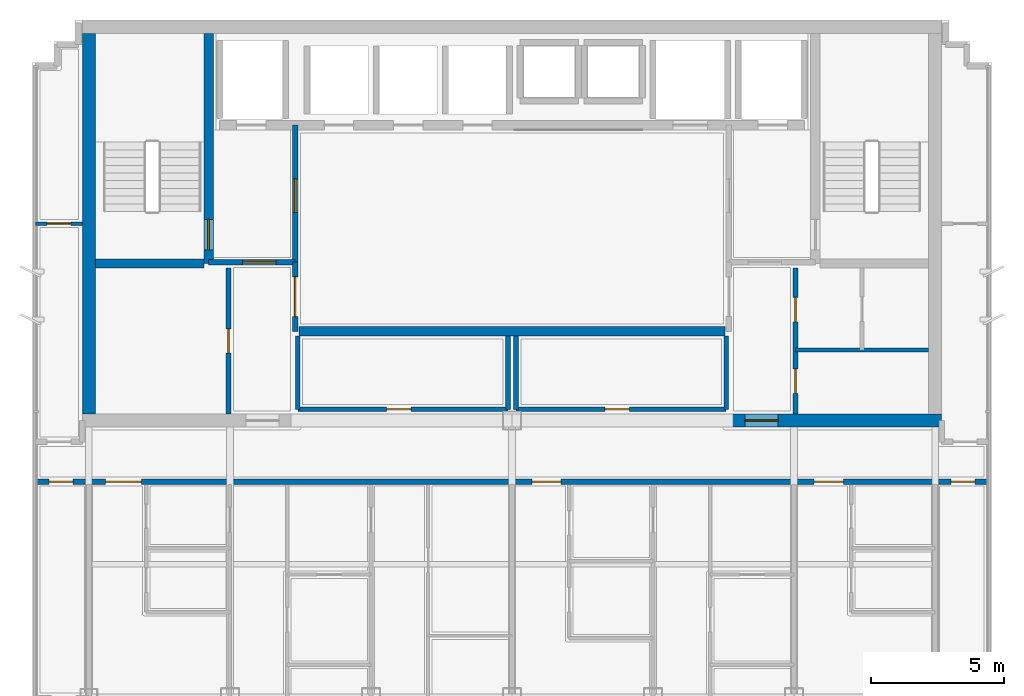
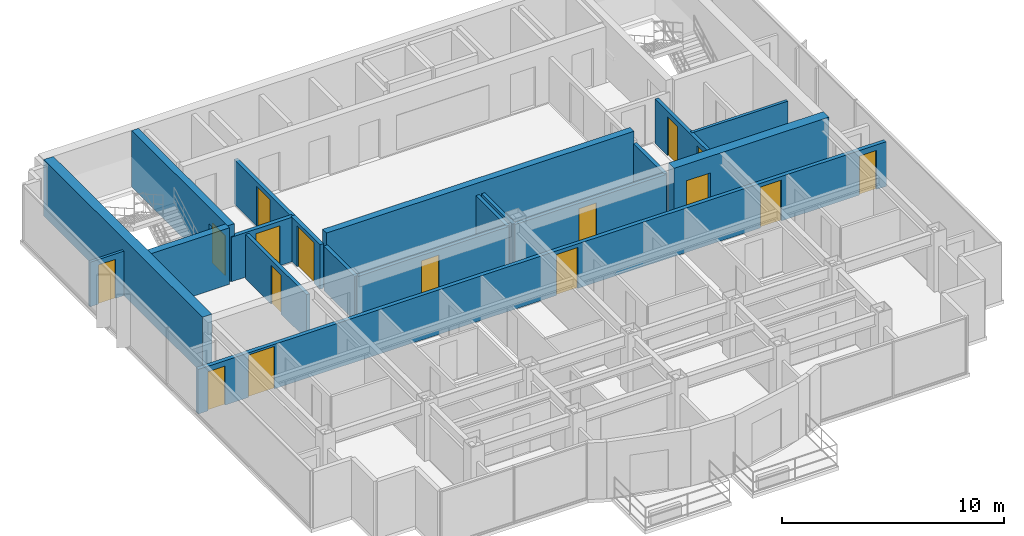
# One storey, part 7 of 11: 19 walls, 16 doors, 16 openings.
"""IFC4 building model written with IfcOpenShell, lengths in metres."""

from ifc_helpers import new_model, si_unit, direction, frame, frame_2d, origin, place, context, subcontext, project, spatial, rectangle, extrude, material, layer, layer_set, type_object, element, fill, save


model = new_model("IFC4")

# Units and contexts
model_context = context("Model", 3, precision=1e-05, world=origin(), true_north=direction((0.0, 1.0)))
body_context = subcontext(model_context, "Body", "Model", "MODEL_VIEW")
ifc_project = project(units=[si_unit("LENGTHUNIT", "METRE"), si_unit("AREAUNIT", "SQUARE_METRE"), si_unit("VOLUMEUNIT", "CUBIC_METRE"), si_unit("PLANEANGLEUNIT", "RADIAN"), si_unit("MASSUNIT", "GRAM", prefix="KILO")], contexts=[model_context])

# Site, building, storey
site_placement = place(None, origin())
site = spatial("IfcSite", under=ifc_project, at=site_placement, CompositionType="ELEMENT")
building_placement = place(site_placement, origin())
building = spatial("IfcBuilding", under=site, at=building_placement, Name="Qianlan Lanfeng Residences", CompositionType="ELEMENT")
storey_placement = place(building_placement, frame((0.0, 0.0, 256.10009765625)))
storey = spatial("IfcBuildingStorey", under=building, at=storey_placement, Name="L71", CompositionType="ELEMENT", Elevation=256.10009765625)

# Wall, opening, door
ifc_material_1 = material(Name="Concrete C49", Category="concrete")
ifc_layer_1 = layer(ifc_material_1, 0.35009765625)
ifc_layer_set_1 = layer_set([ifc_layer_1], Name="Concrete C49")
wall_type_1 = type_object("IfcWallType", Name="CW-RC-350", PredefinedType="SHEAR", material=ifc_layer_set_1)
wall_1_placement = place(storey_placement, frame((15.10009765625, 31.10009765625, 0.0), z_axis=(0.0, 0.0, 1.0), x_axis=(0.0, 1.0, 0.0)))
wall_1 = element("IfcWall", 1, at=wall_1_placement, inside=storey, type_object=wall_type_1, Name="L71 Core Shear Wall ST1E", PredefinedType="SHEAR", context=body_context, shape_type="SweptSolid", body=[
    extrude(rectangle(XDim=8.64990234375, YDim=0.35009765625, at=frame_2d((4.324951171875, 0.0))), origin(), (0.0, 0.0, 1.0), 3.10986328125),
])
opening_1_placement = place(wall_1_placement, frame((0.510009765625, 0.0, 0.0)))
opening_1 = element("IfcOpeningElement", 2, at=opening_1_placement, cuts=wall_1, Name="Opening L71-D07", PredefinedType="OPENING", context=body_context, shape_type="SweptSolid", body=[
    extrude(rectangle(XDim=1.14990234375, YDim=2.199951171875, at=frame_2d((0.574951171875, 1.10009765625))), frame((0.0, 0.18505859375, 0.0), z_axis=(0.0, -1.0, 0.0), x_axis=(1.0, 0.0, 0.0)), (0.0, 0.0, 1.0), 0.3701171875),
])
ifc_material_2 = material(Name="Painted Galvanised Steel Fire Door", Category="steel")
door_type_1 = type_object("IfcDoorType", Name="DT-ST1", OperationType="NOTDEFINED", PredefinedType="DOOR", material=ifc_material_2)
door_1_placement = place(opening_1_placement, frame((1.14990234375, 0.0, 0.0), z_axis=(0.0, 0.0, 1.0), x_axis=(-1.0, 0.0, 0.0)))
door_1 = element("IfcDoor", 3, at=door_1_placement, inside=storey, type_object=door_type_1, Name="L71 Exit Stair ST-1 Door L71-D07 (DT-ST1)", OperationType="SINGLE_SWING_RIGHT", OverallHeight=2.199951171875, OverallWidth=1.14990234375, PredefinedType="DOOR", context=body_context, shape_type="SweptSolid", body=[
    extrude(rectangle(XDim=1.14990234375, YDim=2.199951171875, at=frame_2d((0.574951171875, 1.10009765625))), frame((0.0, 0.02490234375, 0.0), z_axis=(0.0, -1.0, 0.0), x_axis=(1.0, 0.0, 0.0)), (0.0, 0.0, 1.0), 0.050048828125),
])
fill(opening_1, door_1)

# Walls
wall_2_placement = place(storey_placement, frame((10.85009765625, 31.10009765625, 0.0), z_axis=(0.0, 0.0, 1.0), x_axis=(1.0, 0.0, 0.0)))
element("IfcWall", 4, at=wall_2_placement, inside=storey, type_object=wall_type_1, Name="L71 Core Shear Wall ST1S", PredefinedType="SHEAR", context=body_context, shape_type="SweptSolid", body=[
    extrude(rectangle(XDim=4.074951171875, YDim=0.35009765625, at=frame_2d((2.03759765625, 0.0))), origin(), (0.0, 0.0, 1.0), 3.10986328125),
])
wall_3_placement = place(storey_placement, frame((18.5, 28.550048828125, 0.0), z_axis=(0.0, 0.0, 1.0), x_axis=(1.0, 0.0, 0.0)))
element("IfcWall", 5, at=wall_3_placement, inside=storey, type_object=wall_type_1, Name="L71 Core Shear Wall LBS", PredefinedType="SHEAR", context=body_context, shape_type="SweptSolid", body=[
    extrude(rectangle(XDim=16.0, YDim=0.35009765625, at=frame_2d((8.0, 0.0))), origin(), (0.0, 0.0, 1.0), 3.10986328125),
])
ifc_material_3 = material(Name="Concrete C70", Category="concrete")
ifc_layer_2 = layer(ifc_material_3, 0.5)
ifc_layer_set_2 = layer_set([ifc_layer_2], Name="Concrete C70")
wall_type_2 = type_object("IfcWallType", Name="CW-RC-500", PredefinedType="SHEAR", material=ifc_layer_set_2)
wall_4_placement = place(storey_placement, frame((10.60009765625, 25.449951171875, 0.0), z_axis=(0.0, 0.0, 1.0), x_axis=(0.0, 1.0, 0.0)))
element("IfcWall", 6, at=wall_4_placement, inside=storey, type_object=wall_type_2, Name="L71 Core Shear Wall W", PredefinedType="SHEAR", context=body_context, shape_type="SweptSolid", body=[
    extrude(rectangle(XDim=14.300048828125, YDim=0.5, at=frame_2d((7.14990234375, 0.0))), origin(), (0.0, 0.0, 1.0), 3.10986328125),
])

# Wall, opening, door
wall_5_placement = place(storey_placement, frame((34.60009765625, 25.199951171875, 0.0), z_axis=(0.0, 0.0, 1.0), x_axis=(1.0, 0.0, 0.0)))
wall_5 = element("IfcWall", 7, at=wall_5_placement, inside=storey, type_object=wall_type_2, Name="L71 Core Shear Wall SE", PredefinedType="SHEAR", context=body_context, shape_type="SweptSolid", body=[
    extrude(rectangle(XDim=8.0498046875, YDim=0.5, at=frame_2d((4.02490234375, 0.0))), origin(), (0.0, 0.0, 1.0), 3.10986328125),
])
opening_2_placement = place(wall_5_placement, frame((0.64990234375, 0.0, 0.0)))
opening_2 = element("IfcOpeningElement", 8, at=opening_2_placement, cuts=wall_5, Name="Opening L71-D02", PredefinedType="OPENING", context=body_context, shape_type="SweptSolid", body=[
    extrude(rectangle(XDim=1.25, YDim=2.199951171875, at=frame_2d((0.625, 1.10009765625))), frame((0.0, 0.260009765625, 0.0), z_axis=(0.0, -1.0, 0.0), x_axis=(1.0, 0.0, 0.0)), (0.0, 0.0, 1.0), 0.52001953125),
])
door_type_2 = type_object("IfcDoorType", Name="DT-FFL", OperationType="NOTDEFINED", PredefinedType="DOOR", material=ifc_material_2)
door_2_placement = place(opening_2_placement, frame((1.25, 0.0, 0.0), z_axis=(0.0, 0.0, 1.0), x_axis=(-1.0, 0.0, 0.0)))
door_2 = element("IfcDoor", 9, at=door_2_placement, inside=storey, type_object=door_type_2, Name="L71 East Core Lobby Smoke Door L71-D02 (DT-FFL)", OperationType="SINGLE_SWING_LEFT", OverallHeight=2.199951171875, OverallWidth=1.25, PredefinedType="DOOR", context=body_context, shape_type="SweptSolid", body=[
    extrude(rectangle(XDim=1.25, YDim=2.199951171875, at=frame_2d((0.625, 1.10009765625))), frame((0.0, 0.02490234375, 0.0), z_axis=(0.0, -1.0, 0.0), x_axis=(1.0, 0.0, 0.0)), (0.0, 0.0, 1.0), 0.050048828125),
])
fill(opening_2, door_2)

ifc_material_4 = material(Name="Moisture-Resistant Gypsum Partition 135 mm")
ifc_layer_3 = layer(ifc_material_4, 0.135009765625)
ifc_layer_set_3 = layer_set([ifc_layer_3], Name="Moisture-Resistant Gypsum Partition 135 mm")
wall_type_3 = type_object("IfcWallType", Name="PW-135", PredefinedType="PARTITIONING", material=ifc_layer_set_3)
wall_6_placement = place(storey_placement, frame((8.60009765625, 32.60009765625, 0.0), z_axis=(0.0, 0.0, 1.0), x_axis=(1.0, 0.0, 0.0)))
wall_6 = element("IfcWall", 10, at=wall_6_placement, inside=storey, type_object=wall_type_3, Name="L71 WW North Wing Wall", PredefinedType="PARTITIONING", context=body_context, shape_type="SweptSolid", body=[
    extrude(rectangle(XDim=1.75, YDim=0.135009765625, at=frame_2d((0.875, 0.0))), origin(), (0.0, 0.0, 1.0), 2.449951171875),
])
opening_3_placement = place(wall_6_placement, frame((0.425048828125, 0.0, 0.0)))
opening_3 = element("IfcOpeningElement", 11, at=opening_3_placement, cuts=wall_6, Name="Opening L71-D44", PredefinedType="OPENING", context=body_context, shape_type="SweptSolid", body=[
    extrude(rectangle(XDim=0.89990234375, YDim=2.14990234375, at=frame_2d((0.449951171875, 1.074951171875))), frame((0.0, 0.07763671875, 0.0), z_axis=(0.0, -1.0, 0.0), x_axis=(1.0, 0.0, 0.0)), (0.0, 0.0, 1.0), 0.155029296875),
])
ifc_material_5 = material(Name="Moisture-Resistant Timber Leaf", Category="wood")
door_type_3 = type_object("IfcDoorType", Name="DT-WC", OperationType="NOTDEFINED", PredefinedType="DOOR", material=ifc_material_5)
door_3_placement = place(opening_3_placement, origin())
door_3 = element("IfcDoor", 12, at=door_3_placement, inside=storey, type_object=door_type_3, Name="L71 WW Inner Salon Door L71-D44 (DT-WC)", OperationType="SINGLE_SWING_LEFT", OverallHeight=2.14990234375, OverallWidth=0.89990234375, PredefinedType="DOOR", context=body_context, shape_type="SweptSolid", body=[
    extrude(rectangle(XDim=0.89990234375, YDim=2.14990234375, at=frame_2d((0.449951171875, 1.074951171875))), frame((0.0, 0.02490234375, 0.0), z_axis=(0.0, -1.0, 0.0), x_axis=(1.0, 0.0, 0.0)), (0.0, 0.0, 1.0), 0.050048828125),
])
fill(opening_3, door_3)

# Wall
ifc_material_6 = material(Name="Acoustic Drywall Partition 150 mm")
ifc_layer_4 = layer(ifc_material_6, 0.14990234375)
ifc_layer_set_4 = layer_set([ifc_layer_4], Name="Acoustic Drywall Partition 150 mm")
wall_type_4 = type_object("IfcWallType", Name="PW-150", PredefinedType="PARTITIONING", material=ifc_layer_set_4)
wall_7_placement = place(storey_placement, frame((37.14990234375, 27.85009765625, 0.0), z_axis=(0.0, 0.0, 1.0), x_axis=(1.0, 0.0, 0.0)))
element("IfcWall", 13, at=wall_7_placement, inside=storey, type_object=wall_type_4, Name="L71 Core East H Split", PredefinedType="PARTITIONING", context=body_context, shape_type="SweptSolid", body=[
    extrude(rectangle(XDim=5.0, YDim=0.14990234375, at=frame_2d((2.5, 0.0))), origin(), (0.0, 0.0, 1.0), 2.449951171875),
])

# Wall, opening, door
ifc_material_7 = material(Name="Double-Layer Acoustic Gypsum Stud Wall 180 mm")
ifc_layer_5 = layer(ifc_material_7, 0.179931640625)
ifc_layer_set_5 = layer_set([ifc_layer_5], Name="Double-Layer Acoustic Gypsum Stud Wall 180 mm")
wall_type_5 = type_object("IfcWallType", Name="PW-180", PredefinedType="PARTITIONING", material=ifc_layer_set_5)
wall_8_placement = place(storey_placement, frame((15.85009765625, 25.449951171875, 0.0), z_axis=(0.0, 0.0, 1.0), x_axis=(0.0, 1.0, 0.0)))
wall_8 = element("IfcWall", 14, at=wall_8_placement, inside=storey, type_object=wall_type_5, Name="L71 Core West Service Room Wall", PredefinedType="PARTITIONING", context=body_context, shape_type="SweptSolid", body=[
    extrude(rectangle(XDim=5.47509765625, YDim=0.179931640625, at=frame_2d((2.737548828125, 0.0))), origin(), (0.0, 0.0, 1.0), 2.449951171875),
])
opening_4_placement = place(wall_8_placement, frame((2.277099609375, 0.0, 0.0)))
opening_4 = element("IfcOpeningElement", 15, at=opening_4_placement, cuts=wall_8, Name="Opening L71-D09", PredefinedType="OPENING", context=body_context, shape_type="SweptSolid", body=[
    extrude(rectangle(XDim=0.919921875, YDim=2.14990234375, at=frame_2d((0.4599609375, 1.074951171875))), frame((0.0, 0.10009765625, 0.0), z_axis=(0.0, -1.0, 0.0), x_axis=(1.0, 0.0, 0.0)), (0.0, 0.0, 1.0), 0.199951171875),
])
ifc_material_8 = material(Name="Glazed Timber Kitchen/Study Door", Category="wood")
door_type_4 = type_object("IfcDoorType", Name="DT-INT", OperationType="NOTDEFINED", PredefinedType="DOOR", material=ifc_material_8)
door_4_placement = place(opening_4_placement, origin())
door_4 = element("IfcDoor", 16, at=door_4_placement, inside=storey, type_object=door_type_4, Name="L71 Storage Room Door L71-D09 (DT-INT)", OperationType="SINGLE_SWING_LEFT", OverallHeight=2.14990234375, OverallWidth=0.919921875, PredefinedType="DOOR", context=body_context, shape_type="SweptSolid", body=[
    extrude(rectangle(XDim=0.919921875, YDim=2.14990234375, at=frame_2d((0.4599609375, 1.074951171875))), frame((0.0, 0.02490234375, 0.0), z_axis=(0.0, -1.0, 0.0), x_axis=(1.0, 0.0, 0.0)), (0.0, 0.0, 1.0), 0.050048828125),
])
fill(opening_4, door_4)

# Wall, openings, doors
wall_9_placement = place(storey_placement, frame((37.14990234375, 25.449951171875, 0.0), z_axis=(0.0, 0.0, 1.0), x_axis=(0.0, 1.0, 0.0)))
wall_9 = element("IfcWall", 17, at=wall_9_placement, inside=storey, type_object=wall_type_5, Name="L71 Core East Service Room Wall", PredefinedType="PARTITIONING", context=body_context, shape_type="SweptSolid", body=[
    extrude(rectangle(XDim=5.47509765625, YDim=0.179931640625, at=frame_2d((2.737548828125, 0.0))), origin(), (0.0, 0.0, 1.0), 2.449951171875),
])
opening_5_placement = place(wall_9_placement, frame((0.764892578125, 0.0, 0.0)))
opening_5 = element("IfcOpeningElement", 18, at=opening_5_placement, cuts=wall_9, Name="Opening L71-D10", PredefinedType="OPENING", context=body_context, shape_type="SweptSolid", body=[
    extrude(rectangle(XDim=0.919921875, YDim=2.14990234375, at=frame_2d((0.4599609375, 1.074951171875))), frame((0.0, 0.10009765625, 0.0), z_axis=(0.0, -1.0, 0.0), x_axis=(1.0, 0.0, 0.0)), (0.0, 0.0, 1.0), 0.199951171875),
])
opening_6_placement = place(wall_9_placement, frame((3.451904296875, 0.0, 0.0)))
opening_6 = element("IfcOpeningElement", 19, at=opening_6_placement, cuts=wall_9, Name="Opening L71-D11", PredefinedType="OPENING", context=body_context, shape_type="SweptSolid", body=[
    extrude(rectangle(XDim=0.919921875, YDim=2.14990234375, at=frame_2d((0.4599609375, 1.074951171875))), frame((0.0, 0.10009765625, 0.0), z_axis=(0.0, -1.0, 0.0), x_axis=(1.0, 0.0, 0.0)), (0.0, 0.0, 1.0), 0.199951171875),
])
door_5_placement = place(opening_5_placement, origin())
door_5 = element("IfcDoor", 20, at=door_5_placement, inside=storey, type_object=door_type_4, Name="L71 Refuse Room Door L71-D10 (DT-INT)", OperationType="SINGLE_SWING_LEFT", OverallHeight=2.14990234375, OverallWidth=0.919921875, PredefinedType="DOOR", context=body_context, shape_type="SweptSolid", body=[
    extrude(rectangle(XDim=0.919921875, YDim=2.14990234375, at=frame_2d((0.4599609375, 1.074951171875))), frame((0.0, 0.02490234375, 0.0), z_axis=(0.0, -1.0, 0.0), x_axis=(1.0, 0.0, 0.0)), (0.0, 0.0, 1.0), 0.050048828125),
])
fill(opening_5, door_5)
door_6_placement = place(opening_6_placement, origin())
door_6 = element("IfcDoor", 21, at=door_6_placement, inside=storey, type_object=door_type_4, Name="L71 Janitor Outer Door L71-D11 (DT-INT)", OperationType="SINGLE_SWING_LEFT", OverallHeight=2.14990234375, OverallWidth=0.919921875, PredefinedType="DOOR", context=body_context, shape_type="SweptSolid", body=[
    extrude(rectangle(XDim=0.919921875, YDim=2.14990234375, at=frame_2d((0.4599609375, 1.074951171875))), frame((0.0, 0.02490234375, 0.0), z_axis=(0.0, -1.0, 0.0), x_axis=(1.0, 0.0, 0.0)), (0.0, 0.0, 1.0), 0.050048828125),
])
fill(opening_6, door_6)

# Walls
for number, where, z_axis, x_axis, name in (
    (22, (18.449951171875, 25.6201171875, 0.0), (0.0, 0.0, 1.0), (0.0, 1.0, 0.0), "L71 Reclaimed Low-Bank Room West Wall"),
    (23, (26.35009765625, 25.6201171875, 0.0), (0.0, 0.0, 1.0), (0.0, 1.0, 0.0), "L71 Reclaimed Low-Bank Room East Wall"),
):
    element("IfcWall", number, at=place(storey_placement, frame(where, z_axis=z_axis, x_axis=x_axis)), inside=storey, type_object=wall_type_5, Name=name, PredefinedType="PARTITIONING", context=body_context, shape_type="SweptSolid", body=[
        extrude(rectangle(XDim=2.7548828125, YDim=0.179931640625, at=frame_2d((1.37744140625, 0.0))), origin(), (0.0, 0.0, 1.0), 2.449951171875),
    ])

# Wall, opening, door
wall_10_placement = place(storey_placement, frame((18.449951171875, 25.6201171875, 0.0), z_axis=(0.0, 0.0, 1.0), x_axis=(1.0, 0.0, 0.0)))
wall_10 = element("IfcWall", 24, at=wall_10_placement, inside=storey, type_object=wall_type_5, Name="L71 Reclaimed Low-Bank Room South Wall", PredefinedType="PARTITIONING", context=body_context, shape_type="SweptSolid", body=[
    extrude(rectangle(XDim=7.900146484375, YDim=0.179931640625, at=frame_2d((3.9501953125, 0.0))), origin(), (0.0, 0.0, 1.0), 2.449951171875),
])
opening_7_placement = place(wall_10_placement, frame((3.340087890625, 0.0, 0.0)))
opening_7 = element("IfcOpeningElement", 25, at=opening_7_placement, cuts=wall_10, Name="Opening L71-D15", PredefinedType="OPENING", context=body_context, shape_type="SweptSolid", body=[
    extrude(rectangle(XDim=0.919921875, YDim=2.14990234375, at=frame_2d((0.4599609375, 1.074951171875))), frame((0.0, 0.10009765625, 0.0), z_axis=(0.0, -1.0, 0.0), x_axis=(1.0, 0.0, 0.0)), (0.0, 0.0, 1.0), 0.199951171875),
])
door_7_placement = place(opening_7_placement, origin())
door_7 = element("IfcDoor", 26, at=door_7_placement, inside=storey, type_object=door_type_4, Name="L71 Reclaimed Core Salon Door L71-D15 (DT-INT)", OperationType="SINGLE_SWING_LEFT", OverallHeight=2.14990234375, OverallWidth=0.919921875, PredefinedType="DOOR", context=body_context, shape_type="SweptSolid", body=[
    extrude(rectangle(XDim=0.919921875, YDim=2.14990234375, at=frame_2d((0.4599609375, 1.074951171875))), frame((0.0, 0.02490234375, 0.0), z_axis=(0.0, -1.0, 0.0), x_axis=(1.0, 0.0, 0.0)), (0.0, 0.0, 1.0), 0.050048828125),
])
fill(opening_7, door_7)

# Walls
for number, where, z_axis, x_axis, name in (
    (27, (26.64990234375, 25.6201171875, 0.0), (0.0, 0.0, 1.0), (0.0, 1.0, 0.0), "L71 Reclaimed Mid-Bank Room West Wall"),
    (28, (34.550048828125, 25.6201171875, 0.0), (0.0, 0.0, 1.0), (0.0, 1.0, 0.0), "L71 Reclaimed Mid-Bank Room East Wall"),
):
    element("IfcWall", number, at=place(storey_placement, frame(where, z_axis=z_axis, x_axis=x_axis)), inside=storey, type_object=wall_type_5, Name=name, PredefinedType="PARTITIONING", context=body_context, shape_type="SweptSolid", body=[
        extrude(rectangle(XDim=2.7548828125, YDim=0.179931640625, at=frame_2d((1.37744140625, 0.0))), origin(), (0.0, 0.0, 1.0), 2.449951171875),
    ])

# Wall, opening, door
wall_11_placement = place(storey_placement, frame((26.64990234375, 25.6201171875, 0.0), z_axis=(0.0, 0.0, 1.0), x_axis=(1.0, 0.0, 0.0)))
wall_11 = element("IfcWall", 29, at=wall_11_placement, inside=storey, type_object=wall_type_5, Name="L71 Reclaimed Mid-Bank Room South Wall", PredefinedType="PARTITIONING", context=body_context, shape_type="SweptSolid", body=[
    extrude(rectangle(XDim=7.900146484375, YDim=0.179931640625, at=frame_2d((3.9501953125, 0.0))), origin(), (0.0, 0.0, 1.0), 2.449951171875),
])
opening_8_placement = place(wall_11_placement, frame((3.340087890625, 0.0, 0.0)))
opening_8 = element("IfcOpeningElement", 30, at=opening_8_placement, cuts=wall_11, Name="Opening L71-D16", PredefinedType="OPENING", context=body_context, shape_type="SweptSolid", body=[
    extrude(rectangle(XDim=0.919921875, YDim=2.14990234375, at=frame_2d((0.4599609375, 1.074951171875))), frame((0.0, 0.10009765625, 0.0), z_axis=(0.0, -1.0, 0.0), x_axis=(1.0, 0.0, 0.0)), (0.0, 0.0, 1.0), 0.199951171875),
])
door_8_placement = place(opening_8_placement, origin())
door_8 = element("IfcDoor", 31, at=door_8_placement, inside=storey, type_object=door_type_4, Name="L71 Reclaimed Mid-Bank Salon Door L71-D16 (DT-INT)", OperationType="SINGLE_SWING_RIGHT", OverallHeight=2.14990234375, OverallWidth=0.919921875, PredefinedType="DOOR", context=body_context, shape_type="SweptSolid", body=[
    extrude(rectangle(XDim=0.919921875, YDim=2.14990234375, at=frame_2d((0.4599609375, 1.074951171875))), frame((0.0, 0.02490234375, 0.0), z_axis=(0.0, -1.0, 0.0), x_axis=(1.0, 0.0, 0.0)), (0.0, 0.0, 1.0), 0.050048828125),
])
fill(opening_8, door_8)

ifc_material_9 = material(Name="Autoclaved Aerated Concrete Blockwork 200 mm", Category="masonry")
ifc_layer_6 = layer(ifc_material_9, 0.199951171875)
ifc_layer_set_6 = layer_set([ifc_layer_6], Name="Autoclaved Aerated Concrete Blockwork 200 mm")
wall_type_6 = type_object("IfcWallType", Name="PW-200", PredefinedType="PARTITIONING", material=ifc_layer_set_6)
wall_12_placement = place(storey_placement, frame((15.10009765625, 31.14990234375, 0.0), z_axis=(0.0, 0.0, 1.0), x_axis=(1.0, 0.0, 0.0)))
wall_12 = element("IfcWall", 32, at=wall_12_placement, inside=storey, type_object=wall_type_6, Name="L71 Firefighting Lobby 1 South Wall", PredefinedType="PARTITIONING", context=body_context, shape_type="SweptSolid", body=[
    extrude(rectangle(XDim=3.25, YDim=0.199951171875, at=frame_2d((1.625, 0.0))), origin(), (0.0, 0.0, 1.0), 2.449951171875),
])
opening_9_placement = place(wall_12_placement, frame((1.27490234375, 0.0, 0.0)))
opening_9 = element("IfcOpeningElement", 33, at=opening_9_placement, cuts=wall_12, Name="Opening L71-D03", PredefinedType="OPENING", context=body_context, shape_type="SweptSolid", body=[
    extrude(rectangle(XDim=1.25, YDim=2.199951171875, at=frame_2d((0.625, 1.10009765625))), frame((0.0, 0.10986328125, 0.0), z_axis=(0.0, -1.0, 0.0), x_axis=(1.0, 0.0, 0.0)), (0.0, 0.0, 1.0), 0.219970703125),
])
door_9_placement = place(opening_9_placement, origin())
door_9 = element("IfcDoor", 34, at=door_9_placement, inside=storey, type_object=door_type_2, Name="L71 Firefighting Lobby 1 Entry Door L71-D03 (DT-FFL)", OperationType="SINGLE_SWING_LEFT", OverallHeight=2.199951171875, OverallWidth=1.25, PredefinedType="DOOR", context=body_context, shape_type="SweptSolid", body=[
    extrude(rectangle(XDim=1.25, YDim=2.199951171875, at=frame_2d((0.625, 1.10009765625))), frame((0.0, 0.02490234375, 0.0), z_axis=(0.0, -1.0, 0.0), x_axis=(1.0, 0.0, 0.0)), (0.0, 0.0, 1.0), 0.050048828125),
])
fill(opening_9, door_9)

wall_13_placement = place(storey_placement, frame((18.35009765625, 31.14990234375, 0.0), z_axis=(0.0, 0.0, 1.0), x_axis=(0.0, 1.0, 0.0)))
wall_13 = element("IfcWall", 35, at=wall_13_placement, inside=storey, type_object=wall_type_6, Name="L71 Firefighting Lobby 1 East Wall", PredefinedType="PARTITIONING", context=body_context, shape_type="SweptSolid", body=[
    extrude(rectangle(XDim=5.150146484375, YDim=0.199951171875, at=frame_2d((2.5751953125, 0.0))), origin(), (0.0, 0.0, 1.0), 2.449951171875),
])
opening_10_placement = place(wall_13_placement, frame((1.875, 0.0, 0.0)))
opening_10 = element("IfcOpeningElement", 36, at=opening_10_placement, cuts=wall_13, Name="Opening L71-D04", PredefinedType="OPENING", context=body_context, shape_type="SweptSolid", body=[
    extrude(rectangle(XDim=1.25, YDim=2.199951171875, at=frame_2d((0.625, 1.10009765625))), frame((0.0, 0.10986328125, 0.0), z_axis=(0.0, -1.0, 0.0), x_axis=(1.0, 0.0, 0.0)), (0.0, 0.0, 1.0), 0.219970703125),
])
door_10_placement = place(opening_10_placement, origin())
door_10 = element("IfcDoor", 37, at=door_10_placement, inside=storey, type_object=door_type_2, Name="L71 Firefighting Lobby 1 Lift Lobby Door L71-D04 (DT-FFL)", OperationType="SINGLE_SWING_RIGHT", OverallHeight=2.199951171875, OverallWidth=1.25, PredefinedType="DOOR", context=body_context, shape_type="SweptSolid", body=[
    extrude(rectangle(XDim=1.25, YDim=2.199951171875, at=frame_2d((0.625, 1.10009765625))), frame((0.0, 0.02490234375, 0.0), z_axis=(0.0, -1.0, 0.0), x_axis=(1.0, 0.0, 0.0)), (0.0, 0.0, 1.0), 0.050048828125),
])
fill(opening_10, door_10)

wall_14_placement = place(storey_placement, frame((18.35009765625, 28.550048828125, 0.0), z_axis=(0.0, 0.0, 1.0), x_axis=(0.0, 1.0, 0.0)))
wall_14 = element("IfcWall", 38, at=wall_14_placement, inside=storey, type_object=wall_type_6, Name="L71 Lift Lobby West Connector Wall", PredefinedType="PARTITIONING", context=body_context, shape_type="SweptSolid", body=[
    extrude(rectangle(XDim=2.599853515625, YDim=0.199951171875, at=frame_2d((1.2998046875, 0.0))), origin(), (0.0, 0.0, 1.0), 2.449951171875),
])
opening_11_placement = place(wall_14_placement, frame((0.550048828125, 0.0, 0.0)))
opening_11 = element("IfcOpeningElement", 39, at=opening_11_placement, cuts=wall_14, Name="Opening L71-D13", PredefinedType="OPENING", context=body_context, shape_type="SweptSolid", body=[
    extrude(rectangle(XDim=1.5, YDim=2.25, at=frame_2d((0.75, 1.125))), frame((0.0, 0.10986328125, 0.0), z_axis=(0.0, -1.0, 0.0), x_axis=(1.0, 0.0, 0.0)), (0.0, 0.0, 1.0), 0.219970703125),
])
ifc_material_10 = material(Name="Timber Veneer Acoustic Fire Door", Category="wood")
door_type_5 = type_object("IfcDoorType", Name="DT-COR1", OperationType="NOTDEFINED", PredefinedType="DOOR", material=ifc_material_10)
door_11_placement = place(opening_11_placement, origin())
door_11 = element("IfcDoor", 40, at=door_11_placement, inside=storey, type_object=door_type_5, Name="L71 Lift Lobby West Portal Door L71-D13 (DT-COR1)", OperationType="DOUBLE_DOOR_SINGLE_SWING", OverallHeight=2.25, OverallWidth=1.5, PredefinedType="DOOR", context=body_context, shape_type="SweptSolid", body=[
    extrude(rectangle(XDim=1.5, YDim=2.25, at=frame_2d((0.75, 1.125))), frame((0.0, 0.02490234375, 0.0), z_axis=(0.0, -1.0, 0.0), x_axis=(1.0, 0.0, 0.0)), (0.0, 0.0, 1.0), 0.050048828125),
])
fill(opening_11, door_11)

# Wall, openings, doors
wall_15_placement = place(storey_placement, frame((8.60009765625, 22.89990234375, 0.0), z_axis=(0.0, 0.0, 1.0), x_axis=(1.0, 0.0, 0.0)))
wall_15 = element("IfcWall", 41, at=wall_15_placement, inside=storey, type_object=wall_type_6, Name="L71 Residential Corridor South Fire Wall", PredefinedType="PARTITIONING", context=body_context, shape_type="SweptSolid", body=[
    extrude(rectangle(XDim=35.7998046875, YDim=0.199951171875, at=frame_2d((17.89990234375, 0.0))), origin(), (0.0, 0.0, 1.0), 2.449951171875),
])
opening_12_placement = place(wall_15_placement, frame((2.625, 0.0, 0.0)))
opening_12 = element("IfcOpeningElement", 42, at=opening_12_placement, cuts=wall_15, Name="Opening L71-D17", PredefinedType="OPENING", context=body_context, shape_type="SweptSolid", body=[
    extrude(rectangle(XDim=1.35009765625, YDim=2.330078125, at=frame_2d((0.675048828125, 1.1650390625))), frame((0.0, 0.10986328125, 0.0), z_axis=(0.0, -1.0, 0.0), x_axis=(1.0, 0.0, 0.0)), (0.0, 0.0, 1.0), 0.219970703125),
])
opening_13_placement = place(wall_15_placement, frame((18.64990234375, 0.0, 0.0)))
opening_13 = element("IfcOpeningElement", 43, at=opening_13_placement, cuts=wall_15, Name="Opening L71-D29", PredefinedType="OPENING", context=body_context, shape_type="SweptSolid", body=[
    extrude(rectangle(XDim=1.10009765625, YDim=2.25, at=frame_2d((0.550048828125, 1.125))), frame((0.0, 0.10986328125, 0.0), z_axis=(0.0, -1.0, 0.0), x_axis=(1.0, 0.0, 0.0)), (0.0, 0.0, 1.0), 0.219970703125),
])
opening_14_placement = place(wall_15_placement, frame((29.25, 0.0, 0.0)))
opening_14 = element("IfcOpeningElement", 44, at=opening_14_placement, cuts=wall_15, Name="Opening L71-D37", PredefinedType="OPENING", context=body_context, shape_type="SweptSolid", body=[
    extrude(rectangle(XDim=1.10009765625, YDim=2.25, at=frame_2d((0.550048828125, 1.125))), frame((0.0, 0.10986328125, 0.0), z_axis=(0.0, -1.0, 0.0), x_axis=(1.0, 0.0, 0.0)), (0.0, 0.0, 1.0), 0.219970703125),
])
opening_15_placement = place(wall_15_placement, frame((0.5048828125, 0.0, 0.0)))
opening_15 = element("IfcOpeningElement", 45, at=opening_15_placement, cuts=wall_15, Name="Opening L71-D41", PredefinedType="OPENING", context=body_context, shape_type="SweptSolid", body=[
    extrude(rectangle(XDim=0.89990234375, YDim=2.14990234375, at=frame_2d((0.449951171875, 1.074951171875))), frame((0.0, 0.10986328125, 0.0), z_axis=(0.0, -1.0, 0.0), x_axis=(1.0, 0.0, 0.0)), (0.0, 0.0, 1.0), 0.219970703125),
])
opening_16_placement = place(wall_15_placement, frame((34.39501953125, 0.0, 0.0)))
opening_16 = element("IfcOpeningElement", 46, at=opening_16_placement, cuts=wall_15, Name="Opening L71-D43", PredefinedType="OPENING", context=body_context, shape_type="SweptSolid", body=[
    extrude(rectangle(XDim=0.89990234375, YDim=2.14990234375, at=frame_2d((0.449951171875, 1.074951171875))), frame((0.0, 0.10986328125, 0.0), z_axis=(0.0, -1.0, 0.0), x_axis=(1.0, 0.0, 0.0)), (0.0, 0.0, 1.0), 0.219970703125),
])
ifc_material_11 = material(Name="Solid-Core Walnut Double Entrance Door")
door_type_6 = type_object("IfcDoorType", Name="DT-PENT", OperationType="NOTDEFINED", PredefinedType="DOOR", material=ifc_material_11)
door_12_placement = place(opening_12_placement, origin())
door_12 = element("IfcDoor", 47, at=door_12_placement, inside=storey, type_object=door_type_6, Name="L71 Apartment U01 Entrance Door L71-D17 (DT-PENT)", OperationType="DOUBLE_DOOR_SINGLE_SWING", OverallHeight=2.330078125, OverallWidth=1.35009765625, PredefinedType="DOOR", context=body_context, shape_type="SweptSolid", body=[
    extrude(rectangle(XDim=1.35009765625, YDim=2.330078125, at=frame_2d((0.675048828125, 1.1650390625))), frame((0.0, 0.02490234375, 0.0), z_axis=(0.0, -1.0, 0.0), x_axis=(1.0, 0.0, 0.0)), (0.0, 0.0, 1.0), 0.050048828125),
])
fill(opening_12, door_12)
ifc_material_12 = material(Name="Solid-Core Oak Veneer Fire Door")
door_type_7 = type_object("IfcDoorType", Name="DT-UNIT", OperationType="NOTDEFINED", PredefinedType="DOOR", material=ifc_material_12)
door_13_placement = place(opening_13_placement, origin())
door_13 = element("IfcDoor", 48, at=door_13_placement, inside=storey, type_object=door_type_7, Name="L71 Apartment U02 Entrance Door L71-D29 (DT-UNIT)", OperationType="SINGLE_SWING_RIGHT", OverallHeight=2.25, OverallWidth=1.10009765625, PredefinedType="DOOR", context=body_context, shape_type="SweptSolid", body=[
    extrude(rectangle(XDim=1.10009765625, YDim=2.25, at=frame_2d((0.550048828125, 1.125))), frame((0.0, 0.02490234375, 0.0), z_axis=(0.0, -1.0, 0.0), x_axis=(1.0, 0.0, 0.0)), (0.0, 0.0, 1.0), 0.050048828125),
])
fill(opening_13, door_13)
door_14_placement = place(opening_14_placement, frame((1.10009765625, 0.0, 0.0), z_axis=(0.0, 0.0, 1.0), x_axis=(-1.0, 0.0, 0.0)))
door_14 = element("IfcDoor", 49, at=door_14_placement, inside=storey, type_object=door_type_7, Name="L71 Apartment U03 Entrance Door L71-D37 (DT-UNIT)", OperationType="SINGLE_SWING_RIGHT", OverallHeight=2.25, OverallWidth=1.10009765625, PredefinedType="DOOR", context=body_context, shape_type="SweptSolid", body=[
    extrude(rectangle(XDim=1.10009765625, YDim=2.25, at=frame_2d((0.550048828125, 1.125))), frame((0.0, 0.02490234375, 0.0), z_axis=(0.0, -1.0, 0.0), x_axis=(1.0, 0.0, 0.0)), (0.0, 0.0, 1.0), 0.050048828125),
])
fill(opening_14, door_14)
door_15_placement = place(opening_15_placement, origin())
door_15 = element("IfcDoor", 50, at=door_15_placement, inside=storey, type_object=door_type_3, Name="L71 SWP Corridor Door L71-D41 (DT-WC)", OperationType="SINGLE_SWING_LEFT", OverallHeight=2.14990234375, OverallWidth=0.89990234375, PredefinedType="DOOR", context=body_context, shape_type="SweptSolid", body=[
    extrude(rectangle(XDim=0.89990234375, YDim=2.14990234375, at=frame_2d((0.449951171875, 1.074951171875))), frame((0.0, 0.02490234375, 0.0), z_axis=(0.0, -1.0, 0.0), x_axis=(1.0, 0.0, 0.0)), (0.0, 0.0, 1.0), 0.050048828125),
])
fill(opening_15, door_15)
door_16_placement = place(opening_16_placement, frame((0.89990234375, 0.0, 0.0), z_axis=(0.0, 0.0, 1.0), x_axis=(-1.0, 0.0, 0.0)))
door_16 = element("IfcDoor", 51, at=door_16_placement, inside=storey, type_object=door_type_3, Name="L71 SEP Corridor Door L71-D43 (DT-WC)", OperationType="SINGLE_SWING_RIGHT", OverallHeight=2.14990234375, OverallWidth=0.89990234375, PredefinedType="DOOR", context=body_context, shape_type="SweptSolid", body=[
    extrude(rectangle(XDim=0.89990234375, YDim=2.14990234375, at=frame_2d((0.449951171875, 1.074951171875))), frame((0.0, 0.02490234375, 0.0), z_axis=(0.0, -1.0, 0.0), x_axis=(1.0, 0.0, 0.0)), (0.0, 0.0, 1.0), 0.050048828125),
])
fill(opening_16, door_16)

save(model, "model.ifc")
